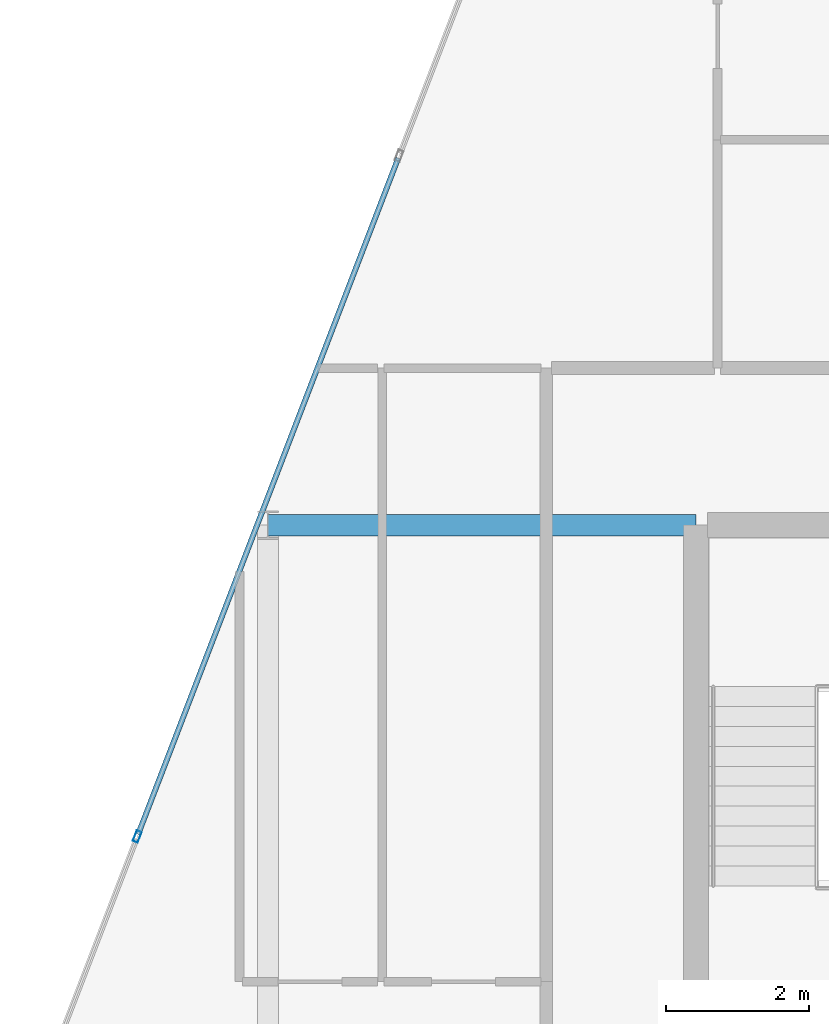
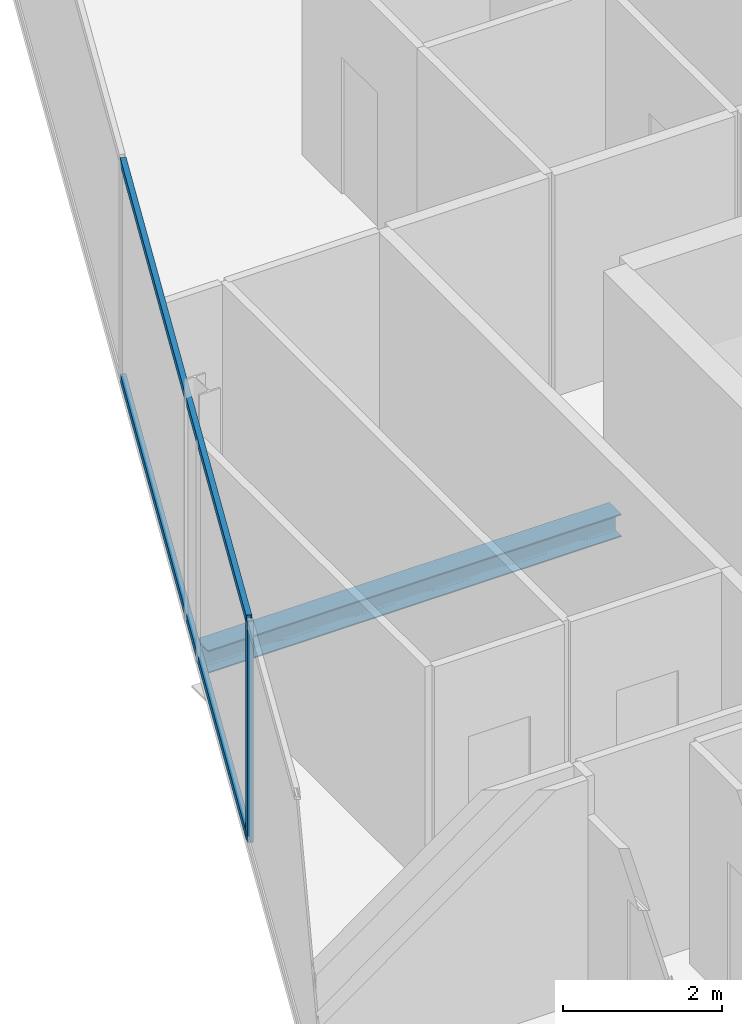
# One storey, part 12 of 31: 3 members, 1 beam, 1 element without a shape of its own.
"""IFC4 building model written with IfcOpenShell, lengths in metres."""

from ifc_helpers import new_model, si_unit, direction, frame, origin, origin_2d, place, context, subcontext, project, spatial, hollow_rectangle, i_section, extrude, material, layer, layer_set, material_profile, profile_set, type_object, element, aggregate, save


model = new_model("IFC4")

# Units and contexts
model_context = context("Model", 3, precision=1e-05, world=origin(), true_north=direction((0.0, 1.0)))
body_context = subcontext(model_context, "Body", "Model", "MODEL_VIEW")
ifc_project = project(units=[si_unit("LENGTHUNIT", "METRE"), si_unit("AREAUNIT", "SQUARE_METRE"), si_unit("VOLUMEUNIT", "CUBIC_METRE"), si_unit("PLANEANGLEUNIT", "RADIAN"), si_unit("MASSUNIT", "GRAM", prefix="KILO")], contexts=[model_context])

# Site, building, storey
site_placement = place(None, origin())
site = spatial("IfcSite", under=ifc_project, at=site_placement, CompositionType="ELEMENT")
building_placement = place(site_placement, origin())
building = spatial("IfcBuilding", under=site, at=building_placement, Name="Keshet Zoharim Tower", CompositionType="ELEMENT")
storey_placement = place(building_placement, frame((0.0, 0.0, 276.89990234375)))
storey = spatial("IfcBuildingStorey", under=building, at=storey_placement, Name="L69", CompositionType="ELEMENT", Elevation=276.89990234375)

# Beam
ifc_material_1 = material(Name="Steel S355", Category="steel")
ifc_material_profile_1 = material_profile(ifc_material_1, i_section(OverallWidth=0.300048828125, OverallDepth=0.35009765625, WebThickness=0.010009765625, FlangeThickness=0.017578125, FilletRadius=0.027099609375, at=origin_2d()), Name="HEA360")
ifc_profile_set_1 = profile_set([ifc_material_profile_1], Name="Steel S355")
beam_type = type_object("IfcBeamType", Name="BM-PRI-HA360", PredefinedType="BEAM", material=ifc_profile_set_1)
beam_placement = place(storey_placement, frame((9.0, 37.89990234375, -0.48486328125), z_axis=(1.0, 0.0, 0.0), x_axis=(0.0, 1.0, 0.0)))
element("IfcBeam", 1, at=beam_placement, inside=storey, type_object=beam_type, Name="L69 Primary Girder X-008", PredefinedType="BEAM", context=body_context, shape_type="SweptSolid", body=[
    extrude(i_section(OverallWidth=0.300048828125, OverallDepth=0.35009765625, WebThickness=0.010009765625, FlangeThickness=0.017578125, FilletRadius=0.027099609375, at=origin_2d()), origin(), (0.0, 0.0, 1.0), 6.0),
])

# Curtain wall, members
ifc_material_2 = material(Name="Aluminium 6063-T6", Category="aluminium")
ifc_layer = layer(ifc_material_2, 0.260009765625)
ifc_layer_set = layer_set([ifc_layer], Name="Aluminium 6063-T6")
curtain_wall_type = type_object("IfcCurtainWallType", Name="CW-SYS-06", PredefinedType="NOTDEFINED", material=ifc_layer_set)
curtain_wall_placement = place(storey_placement, origin())
curtain_wall = element("IfcCurtainWall", 2, at=curtain_wall_placement, inside=storey, type_object=curtain_wall_type, Name="L69 Unitised Curtain Wall 03", PredefinedType="NOTDEFINED")
ifc_material_profile_2 = material_profile(ifc_material_2, hollow_rectangle(XDim=0.074951171875, YDim=0.159912109375, WallThickness=0.00390625, at=origin_2d()), Name="MUL-75x160")
ifc_profile_set_2 = profile_set([ifc_material_profile_2], Name="Aluminium 6063-T6")
member_type_1 = type_object("IfcMemberType", Name="CWM-M15", PredefinedType="MULLION", material=ifc_profile_set_2)
member_1_placement = place(storey_placement, frame((7.1669921875, 33.53466796875, 0.0), z_axis=(0.0, 0.0, 1.0), x_axis=(-0.933341404361, 0.358990003907, 0.0)))
member_1 = element("IfcMember", 3, at=member_1_placement, type_object=member_type_1, Name="CW-06 mullion 2", PredefinedType="MULLION", context=body_context, shape_type="SweptSolid", body=[
    extrude(hollow_rectangle(XDim=0.074951171875, YDim=0.159912109375, WallThickness=0.00390625, at=origin_2d()), origin(), (0.0, 0.0, 1.0), 3.39013671875),
])
ifc_material_profile_3 = material_profile(ifc_material_2, hollow_rectangle(XDim=0.074951171875, YDim=0.1201171875, WallThickness=0.00390625, at=origin_2d()), Name="TRN-75x120")
ifc_profile_set_3 = profile_set([ifc_material_profile_3], Name="Aluminium 6063-T6")
member_type_2 = type_object("IfcMemberType", Name="CWT-T12", PredefinedType="USERDEFINED", material=ifc_profile_set_3)
member_2_placement = place(storey_placement, frame((7.179443359375, 33.5673828125, 0.03515625), z_axis=(0.359003248899, 0.933336309848, 0.0), x_axis=(-0.933336309848, 0.359003248899, 0.0)))
member_2 = element("IfcMember", 4, at=member_2_placement, type_object=member_type_2, Name="CW-06 transom 2.1", ObjectType="TRANSOM", PredefinedType="USERDEFINED", context=body_context, shape_type="SweptSolid", body=[
    extrude(hollow_rectangle(XDim=0.074951171875, YDim=0.1201171875, WallThickness=0.00390625, at=origin_2d()), origin(), (0.0, 0.0, 1.0), 10.153076171875),
])
member_3_placement = place(storey_placement, frame((7.179443359375, 33.5673828125, 3.35498046875), z_axis=(0.359003248899, 0.933336309848, 0.0), x_axis=(-0.933336309848, 0.359003248899, 0.0)))
member_3 = element("IfcMember", 5, at=member_3_placement, type_object=member_type_2, Name="CW-06 transom 2.2", ObjectType="TRANSOM", PredefinedType="USERDEFINED", context=body_context, shape_type="SweptSolid", body=[
    extrude(hollow_rectangle(XDim=0.074951171875, YDim=0.1201171875, WallThickness=0.00390625, at=origin_2d()), origin(), (0.0, 0.0, 1.0), 10.153076171875),
])
aggregate(curtain_wall, [member_1, member_2, member_3])

save(model, "model.ifc")
